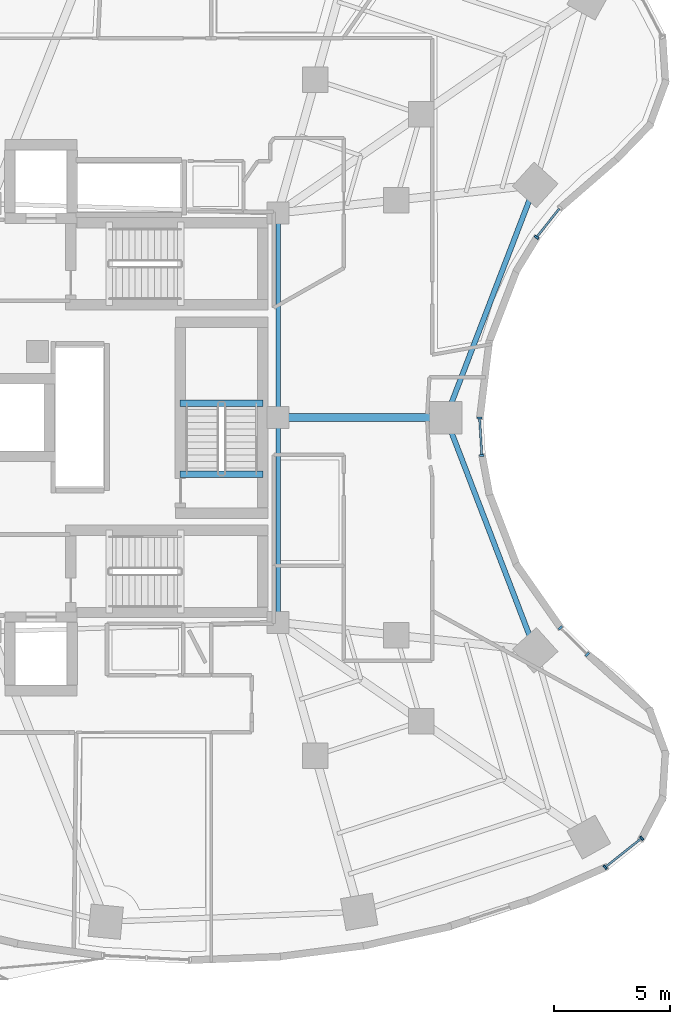
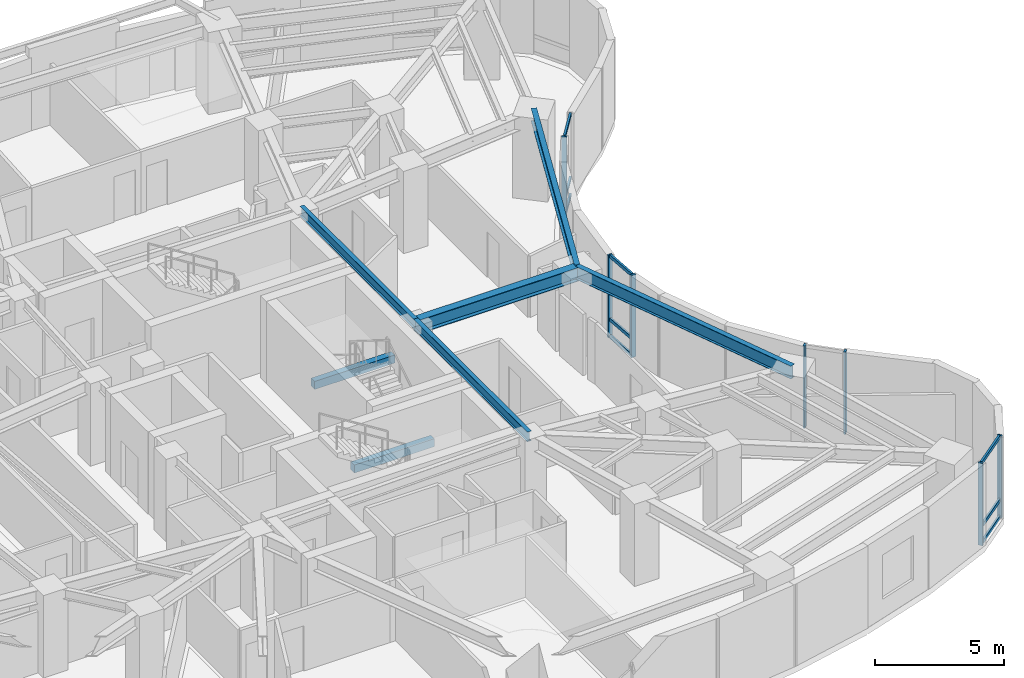
# One storey, part 4 of 15: 16 members, 7 beams, 4 elements without a shape of their own.
"""IFC4 building model written with IfcOpenShell, lengths in metres."""

from ifc_helpers import new_model, si_unit, direction, frame, origin, origin_2d, place, context, subcontext, project, spatial, rectangle, i_section, extrude, material, layer, layer_set, material_profile, profile_set, type_object, element, aggregate, save


model = new_model("IFC4")

# Units and contexts
model_context = context("Model", 3, precision=1e-05, world=origin(), true_north=direction((0.0, 1.0)))
body_context = subcontext(model_context, "Body", "Model", "MODEL_VIEW")
ifc_project = project(units=[si_unit("LENGTHUNIT", "METRE"), si_unit("AREAUNIT", "SQUARE_METRE"), si_unit("VOLUMEUNIT", "CUBIC_METRE"), si_unit("PLANEANGLEUNIT", "RADIAN"), si_unit("MASSUNIT", "GRAM", prefix="KILO")], contexts=[model_context])

# Site, building, storey
site_placement = place(None, origin())
site = spatial("IfcSite", under=ifc_project, at=site_placement, CompositionType="ELEMENT")
building_placement = place(site_placement, origin())
building = spatial("IfcBuilding", under=site, at=building_placement, Name="Korentha Bioscience Tower", CompositionType="ELEMENT")
storey_placement = place(building_placement, frame((0.0, 0.0, 42.60009765625)))
storey = spatial("IfcBuildingStorey", under=building, at=storey_placement, Name="L09", CompositionType="ELEMENT", Elevation=42.60009765625)

# Beams
ifc_material_1 = material(Name="Concrete C50", Category="concrete")
ifc_material_profile_1 = material_profile(ifc_material_1, rectangle(XDim=0.280029296875, YDim=0.3798828125, at=origin_2d()), Name="Concrete C50")
ifc_profile_set_1 = profile_set([ifc_material_profile_1], Name="Concrete C50 (ST-HB380)")
beam_type_1 = type_object("IfcBeamType", Name="Concrete Stair Header Beam RC 280x380", PredefinedType="BEAM", material=ifc_profile_set_1)
for number, where, z_axis, x_axis, name in (
    (1, (36.89990234375, 24.550048828125, -0.190185546875), (-1.0, 0.0, 0.0), (0.0, -1.0, 0.0), "L09 ST-3 Concrete Stair Header Beam"),
    (2, (36.89990234375, 27.6298828125, 1.909912109375), (-1.0, 0.0, 0.0), (0.0, -1.0, 0.0), "L09 ST-3 Half-Landing Header Beam 1"),
):
    element("IfcBeam", number, at=place(storey_placement, frame(where, z_axis=z_axis, x_axis=x_axis)), inside=storey, type_object=beam_type_1, Name=name, PredefinedType="BEAM", context=body_context, shape_type="SweptSolid", body=[
        extrude(rectangle(XDim=0.280029296875, YDim=0.3798828125, at=origin_2d()), origin(), (0.0, 0.0, 1.0), 3.599853515625),
    ])
ifc_material_2 = material(Name="Steel S355", Category="steel")
ifc_material_profile_2 = material_profile(ifc_material_2, i_section(OverallWidth=0.18994140625, OverallDepth=0.45703125, WebThickness=0.009033203125, FlangeThickness=0.014404296875, at=origin_2d()), Name="Steel S355")
ifc_profile_set_2 = profile_set([ifc_material_profile_2], Name="Steel S355 (MB-460)")
beam_type_2 = type_object("IfcBeamType", Name="Mid-Ring Tie Girder W460x74", PredefinedType="BEAM", material=ifc_profile_set_2)
for number, where, z_axis, x_axis, name in (
    (3, (37.550048828125, 18.14990234375, 3.67138671875), (0.0, 1.0, 0.0), (-1.0, 0.0, 0.0), "L09 Core Ring Tie Girder 06"),
    (4, (37.550048828125, 27.0, 3.67138671875), (0.0, 1.0, 0.0), (-1.0, 0.0, 0.0), "L09 Core Ring Tie Girder 07"),
):
    element("IfcBeam", number, at=place(storey_placement, frame(where, z_axis=z_axis, x_axis=x_axis)), inside=storey, type_object=beam_type_2, Name=name, PredefinedType="BEAM", context=body_context, shape_type="SweptSolid", body=[
        extrude(i_section(OverallWidth=0.18994140625, OverallDepth=0.45703125, WebThickness=0.009033203125, FlangeThickness=0.014404296875, at=origin_2d()), origin(), (0.0, 0.0, 1.0), 8.85009765625),
    ])

# Curtain wall, members
ifc_material_3 = material(Name="Thermally Broken Aluminium Frame", Category="aluminium")
ifc_layer = layer(ifc_material_3, 0.219970703125, Name="Thermally Broken Aluminium Frame")
ifc_layer_set = layer_set([ifc_layer], Name="Thermally Broken Aluminium Frame (CW-T1)")
curtain_wall_type = type_object("IfcCurtainWallType", Name="Standard Bioscience Lab Unitised Curtain Wall CW-T1", PredefinedType="USERDEFINED", material=ifc_layer_set)
curtain_wall_1_placement = place(storey_placement, origin())
curtain_wall_1 = element("IfcCurtainWall", 5, at=curtain_wall_1_placement, inside=storey, type_object=curtain_wall_type, Name="L09 Curtain Wall 37", ObjectType="UNITISED", PredefinedType="USERDEFINED")
ifc_material_4 = material(Name="Anodised Aluminium 6063-T6", Category="aluminium")
ifc_material_profile_3 = material_profile(ifc_material_4, rectangle(XDim=0.090087890625, YDim=0.199951171875, at=origin_2d()), Name="Anodised Aluminium 6063-T6")
ifc_profile_set_3 = profile_set([ifc_material_profile_3], Name="Anodised Aluminium 6063-T6 (CW-MUL)")
member_type_1 = type_object("IfcMemberType", Name="Mullion RECT 90x200", PredefinedType="MULLION", material=ifc_profile_set_3)
member_1_placement = place(storey_placement, frame((51.6865234375, 7.56298828125, 0.0), z_axis=(0.0, 0.0, 1.0), x_axis=(0.782287851332, 0.62291710336, 0.0)))
member_1 = element("IfcMember", 6, at=member_1_placement, type_object=member_type_1, Name="CW-L09-37 Mullion 1", PredefinedType="MULLION", context=body_context, shape_type="SweptSolid", body=[
    extrude(rectangle(XDim=0.090087890625, YDim=0.199951171875, at=origin_2d()), origin(), (0.0, 0.0, 1.0), 3.89990234375),
])
member_2_placement = place(storey_placement, frame((53.264892578125, 8.81982421875, 0.0), z_axis=(0.0, 0.0, 1.0), x_axis=(0.782287851332, 0.62291710336, 0.0)))
member_2 = element("IfcMember", 7, at=member_2_placement, type_object=member_type_1, Name="CW-L09-37 Mullion 2", PredefinedType="MULLION", context=body_context, shape_type="SweptSolid", body=[
    extrude(rectangle(XDim=0.090087890625, YDim=0.199951171875, at=origin_2d()), origin(), (0.0, 0.0, 1.0), 3.89990234375),
])

curtain_wall_2_placement = place(storey_placement, origin())
curtain_wall_2 = element("IfcCurtainWall", 8, at=curtain_wall_2_placement, inside=storey, type_object=curtain_wall_type, Name="L09 Curtain Wall 43", ObjectType="UNITISED", PredefinedType="USERDEFINED")
member_3_placement = place(storey_placement, frame((50.913818359375, 16.76513671875, 0.0), z_axis=(0.0, 0.0, 1.0), x_axis=(-0.713279246754, 0.700879958445, 0.0)))
member_3 = element("IfcMember", 9, at=member_3_placement, type_object=member_type_1, Name="CW-L09-43 Mullion 1", PredefinedType="MULLION", context=body_context, shape_type="SweptSolid", body=[
    extrude(rectangle(XDim=0.090087890625, YDim=0.199951171875, at=origin_2d()), origin(), (0.0, 0.0, 1.0), 3.89990234375),
])
member_4_placement = place(storey_placement, frame((49.752685546875, 17.90625, 0.0), z_axis=(0.0, 0.0, 1.0), x_axis=(-0.713279246754, 0.700879958445, 0.0)))
member_4 = element("IfcMember", 10, at=member_4_placement, type_object=member_type_1, Name="CW-L09-43 Mullion 2", PredefinedType="MULLION", context=body_context, shape_type="SweptSolid", body=[
    extrude(rectangle(XDim=0.090087890625, YDim=0.199951171875, at=origin_2d()), origin(), (0.0, 0.0, 1.0), 3.89990234375),
])
aggregate(curtain_wall_2, [member_3, member_4])

curtain_wall_3_placement = place(storey_placement, origin())
curtain_wall_3 = element("IfcCurtainWall", 11, at=curtain_wall_3_placement, inside=storey, type_object=curtain_wall_type, Name="L09 Curtain Wall 49", ObjectType="UNITISED", PredefinedType="USERDEFINED")
member_5_placement = place(storey_placement, frame((46.355712890625, 25.3603515625, 0.0), z_axis=(0.0, 0.0, 1.0), x_axis=(-0.061008272998, 0.998137260413, 0.0)))
member_5 = element("IfcMember", 12, at=member_5_placement, type_object=member_type_1, Name="CW-L09-49 Mullion 1", PredefinedType="MULLION", context=body_context, shape_type="SweptSolid", body=[
    extrude(rectangle(XDim=0.090087890625, YDim=0.199951171875, at=origin_2d()), origin(), (0.0, 0.0, 1.0), 3.89990234375),
])
member_6_placement = place(storey_placement, frame((46.25634765625, 26.985107421875, 0.0), z_axis=(0.0, 0.0, 1.0), x_axis=(-0.061008272998, 0.998137260413, 0.0)))
member_6 = element("IfcMember", 13, at=member_6_placement, type_object=member_type_1, Name="CW-L09-49 Mullion 2", PredefinedType="MULLION", context=body_context, shape_type="SweptSolid", body=[
    extrude(rectangle(XDim=0.090087890625, YDim=0.199951171875, at=origin_2d()), origin(), (0.0, 0.0, 1.0), 3.89990234375),
])

# Curtain wall, member
curtain_wall_4_placement = place(storey_placement, origin())
curtain_wall_4 = element("IfcCurtainWall", 14, at=curtain_wall_4_placement, inside=storey, type_object=curtain_wall_type, Name="L09 Curtain Wall 55", ObjectType="UNITISED", PredefinedType="USERDEFINED")
member_7_placement = place(storey_placement, frame((48.719482421875, 34.7978515625, 0.0), z_axis=(0.0, 0.0, 1.0), x_axis=(0.622520324648, 0.782603632371, 0.0)))
member_7 = element("IfcMember", 15, at=member_7_placement, type_object=member_type_1, Name="CW-L09-55 Mullion 1", PredefinedType="MULLION", context=body_context, shape_type="SweptSolid", body=[
    extrude(rectangle(XDim=0.090087890625, YDim=0.199951171875, at=origin_2d()), origin(), (0.0, 0.0, 1.0), 3.89990234375),
])

# Beams
ifc_material_profile_4 = material_profile(ifc_material_2, i_section(OverallWidth=0.22802734375, OverallDepth=0.60791015625, WebThickness=0.01123046875, FlangeThickness=0.017333984375, at=origin_2d()), Name="Steel S355")
ifc_profile_set_4 = profile_set([ifc_material_profile_4], Name="Steel S355 (SB-610)")
beam_type_3 = type_object("IfcBeamType", Name="Perimeter Ring Spandrel Girder W610x113", PredefinedType="SPANDREL", material=ifc_profile_set_4)
for number, where, z_axis, x_axis, name in (
    (16, (48.661865234375, 16.939208984375, 3.595947265625), (-0.358473520253, 0.93353989485, 0.0), (-0.93353989485, -0.358473520253, 0.0), "L09 Perimeter Spandrel Girder 14"),
    (17, (44.798583984375, 27.0, 3.595947265625), (0.358473520253, 0.93353989485, 0.0), (-0.93353989485, 0.358473520253, 0.0), "L09 Perimeter Spandrel Girder 15"),
):
    element("IfcBeam", number, at=place(storey_placement, frame(where, z_axis=z_axis, x_axis=x_axis)), inside=storey, type_object=beam_type_3, Name=name, PredefinedType="SPANDREL", context=body_context, shape_type="SweptSolid", body=[
        extrude(i_section(OverallWidth=0.22802734375, OverallDepth=0.60791015625, WebThickness=0.01123046875, FlangeThickness=0.017333984375, at=origin_2d()), origin(), (0.0, 0.0, 1.0), 10.777099609375),
    ])
ifc_material_profile_5 = material_profile(ifc_material_2, i_section(OverallWidth=0.35009765625, OverallDepth=0.64990234375, WebThickness=0.01611328125, FlangeThickness=0.02490234375, at=origin_2d()), Name="Steel S355")
ifc_profile_set_5 = profile_set([ifc_material_profile_5], Name="Steel S355 (RB-650)")
beam_type_4 = type_object("IfcBeamType", Name="Radial Laboratory Girder CVS 650x208", PredefinedType="BEAM", material=ifc_profile_set_5)
beam_placement = place(storey_placement, frame((37.550048828125, 27.0, 3.574951171875), z_axis=(1.0, 0.0, 0.0), x_axis=(0.0, 1.0, 0.0)))
element("IfcBeam", 18, at=beam_placement, inside=storey, type_object=beam_type_4, Name="L09 Radial Girder 15", PredefinedType="BEAM", context=body_context, shape_type="SweptSolid", body=[
    extrude(i_section(OverallWidth=0.35009765625, OverallDepth=0.64990234375, WebThickness=0.01611328125, FlangeThickness=0.02490234375, at=origin_2d()), origin(), (0.0, 0.0, 1.0), 7.24853515625),
])

# Member
ifc_material_profile_6 = material_profile(ifc_material_4, rectangle(XDim=0.090087890625, YDim=0.159912109375, at=origin_2d()), Name="Anodised Aluminium 6063-T6")
ifc_profile_set_6 = profile_set([ifc_material_profile_6], Name="Anodised Aluminium 6063-T6 (CW-TRN)")
member_type_2 = type_object("IfcMemberType", Name="Transom RECT 90x160", PredefinedType="USERDEFINED", material=ifc_profile_set_6)
member_8_placement = place(storey_placement, frame((51.7216796875, 7.591064453125, 0.044921875), z_axis=(0.78232471634, 0.622870803782, 0.0), x_axis=(-0.622870803782, 0.78232471634, 0.0)))
member_8 = element("IfcMember", 19, at=member_8_placement, type_object=member_type_2, Name="CW-L09-37 Bay 1 Transom 1", ObjectType="TRANSOM", PredefinedType="USERDEFINED", context=body_context, shape_type="SweptSolid", body=[
    extrude(rectangle(XDim=0.090087890625, YDim=0.159912109375, at=origin_2d()), origin(), (0.0, 0.0, 1.0), 1.927734375),
])

member_9_placement = place(storey_placement, frame((51.7216796875, 7.591064453125, 0.849853515625), z_axis=(0.78232471634, 0.622870803782, 0.0), x_axis=(-0.622870803782, 0.78232471634, 0.0)))
member_9 = element("IfcMember", 20, at=member_9_placement, type_object=member_type_2, Name="CW-L09-37 Bay 1 Transom 2", ObjectType="TRANSOM", PredefinedType="USERDEFINED", context=body_context, shape_type="SweptSolid", body=[
    extrude(rectangle(XDim=0.090087890625, YDim=0.159912109375, at=origin_2d()), origin(), (0.0, 0.0, 1.0), 1.927734375),
])

member_10_placement = place(storey_placement, frame((51.7216796875, 7.591064453125, 3.85498046875), z_axis=(0.78232471634, 0.622870803782, 0.0), x_axis=(-0.622870803782, 0.78232471634, 0.0)))
member_10 = element("IfcMember", 21, at=member_10_placement, type_object=member_type_2, Name="CW-L09-37 Bay 1 Transom 3", ObjectType="TRANSOM", PredefinedType="USERDEFINED", context=body_context, shape_type="SweptSolid", body=[
    extrude(rectangle(XDim=0.090087890625, YDim=0.159912109375, at=origin_2d()), origin(), (0.0, 0.0, 1.0), 1.927734375),
])

aggregate(curtain_wall_1, [member_1, member_2, member_8, member_9, member_10])

member_11_placement = place(storey_placement, frame((46.352783203125, 25.4052734375, 0.044921875), z_axis=(-0.060964804815, 0.998139916331, 0.0), x_axis=(-0.998139916331, -0.060964804815, 0.0)))
member_11 = element("IfcMember", 22, at=member_11_placement, type_object=member_type_2, Name="CW-L09-49 Bay 1 Transom 1", ObjectType="TRANSOM", PredefinedType="USERDEFINED", context=body_context, shape_type="SweptSolid", body=[
    extrude(rectangle(XDim=0.090087890625, YDim=0.159912109375, at=origin_2d()), origin(), (0.0, 0.0, 1.0), 1.537841796875),
])

member_12_placement = place(storey_placement, frame((46.352783203125, 25.4052734375, 0.849853515625), z_axis=(-0.060964804815, 0.998139916331, 0.0), x_axis=(-0.998139916331, -0.060964804815, 0.0)))
member_12 = element("IfcMember", 23, at=member_12_placement, type_object=member_type_2, Name="CW-L09-49 Bay 1 Transom 2", ObjectType="TRANSOM", PredefinedType="USERDEFINED", context=body_context, shape_type="SweptSolid", body=[
    extrude(rectangle(XDim=0.090087890625, YDim=0.159912109375, at=origin_2d()), origin(), (0.0, 0.0, 1.0), 1.537841796875),
])

member_13_placement = place(storey_placement, frame((46.352783203125, 25.4052734375, 3.85498046875), z_axis=(-0.060964804815, 0.998139916331, 0.0), x_axis=(-0.998139916331, -0.060964804815, 0.0)))
member_13 = element("IfcMember", 24, at=member_13_placement, type_object=member_type_2, Name="CW-L09-49 Bay 1 Transom 3", ObjectType="TRANSOM", PredefinedType="USERDEFINED", context=body_context, shape_type="SweptSolid", body=[
    extrude(rectangle(XDim=0.090087890625, YDim=0.159912109375, at=origin_2d()), origin(), (0.0, 0.0, 1.0), 1.537841796875),
])

aggregate(curtain_wall_3, [member_5, member_6, member_11, member_12, member_13])

member_14_placement = place(storey_placement, frame((48.74755859375, 34.8330078125, 0.044921875), z_axis=(0.622563336945, 0.782569416405, 0.0), x_axis=(-0.782569416405, 0.622563336945, 0.0)))
member_14 = element("IfcMember", 25, at=member_14_placement, type_object=member_type_2, Name="CW-L09-55 Bay 1 Transom 1", ObjectType="TRANSOM", PredefinedType="USERDEFINED", context=body_context, shape_type="SweptSolid", body=[
    extrude(rectangle(XDim=0.090087890625, YDim=0.159912109375, at=origin_2d()), origin(), (0.0, 0.0, 1.0), 1.5380859375),
])

member_15_placement = place(storey_placement, frame((48.74755859375, 34.8330078125, 0.849853515625), z_axis=(0.622563336945, 0.782569416405, 0.0), x_axis=(-0.782569416405, 0.622563336945, 0.0)))
member_15 = element("IfcMember", 26, at=member_15_placement, type_object=member_type_2, Name="CW-L09-55 Bay 1 Transom 2", ObjectType="TRANSOM", PredefinedType="USERDEFINED", context=body_context, shape_type="SweptSolid", body=[
    extrude(rectangle(XDim=0.090087890625, YDim=0.159912109375, at=origin_2d()), origin(), (0.0, 0.0, 1.0), 1.5380859375),
])

member_16_placement = place(storey_placement, frame((48.74755859375, 34.8330078125, 3.85498046875), z_axis=(0.622563336945, 0.782569416405, 0.0), x_axis=(-0.782569416405, 0.622563336945, 0.0)))
member_16 = element("IfcMember", 27, at=member_16_placement, type_object=member_type_2, Name="CW-L09-55 Bay 1 Transom 3", ObjectType="TRANSOM", PredefinedType="USERDEFINED", context=body_context, shape_type="SweptSolid", body=[
    extrude(rectangle(XDim=0.090087890625, YDim=0.159912109375, at=origin_2d()), origin(), (0.0, 0.0, 1.0), 1.5380859375),
])

aggregate(curtain_wall_4, [member_7, member_14, member_15, member_16])

save(model, "model.ifc")
